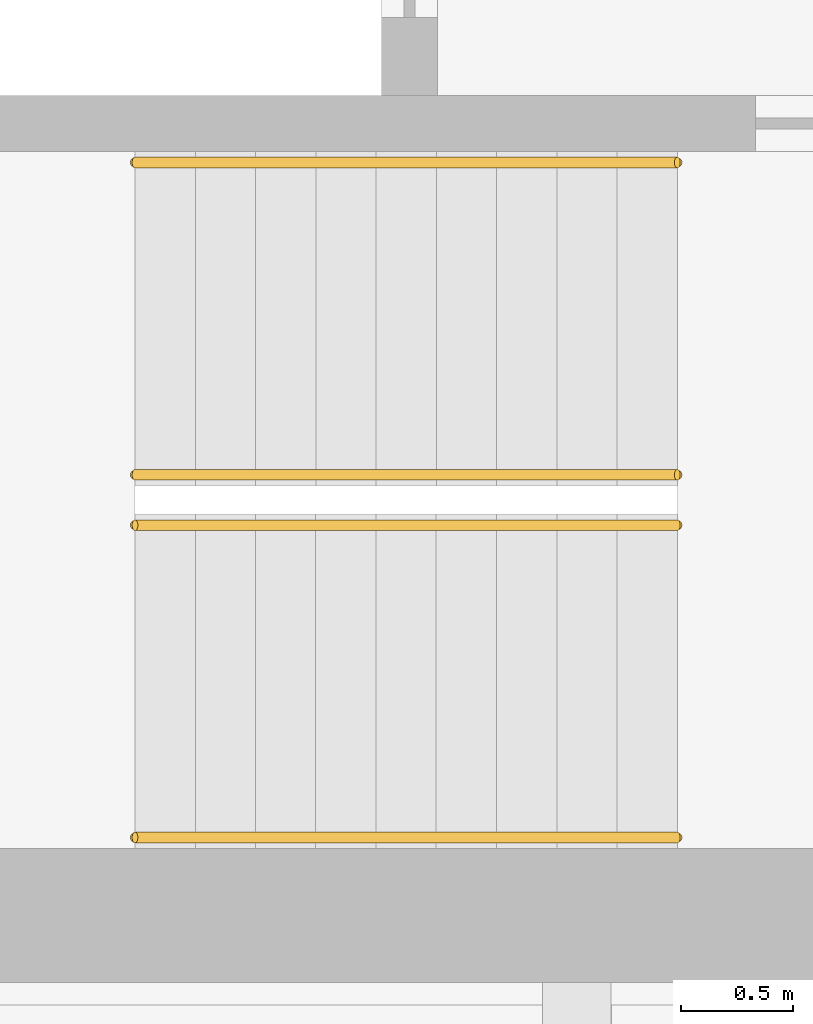
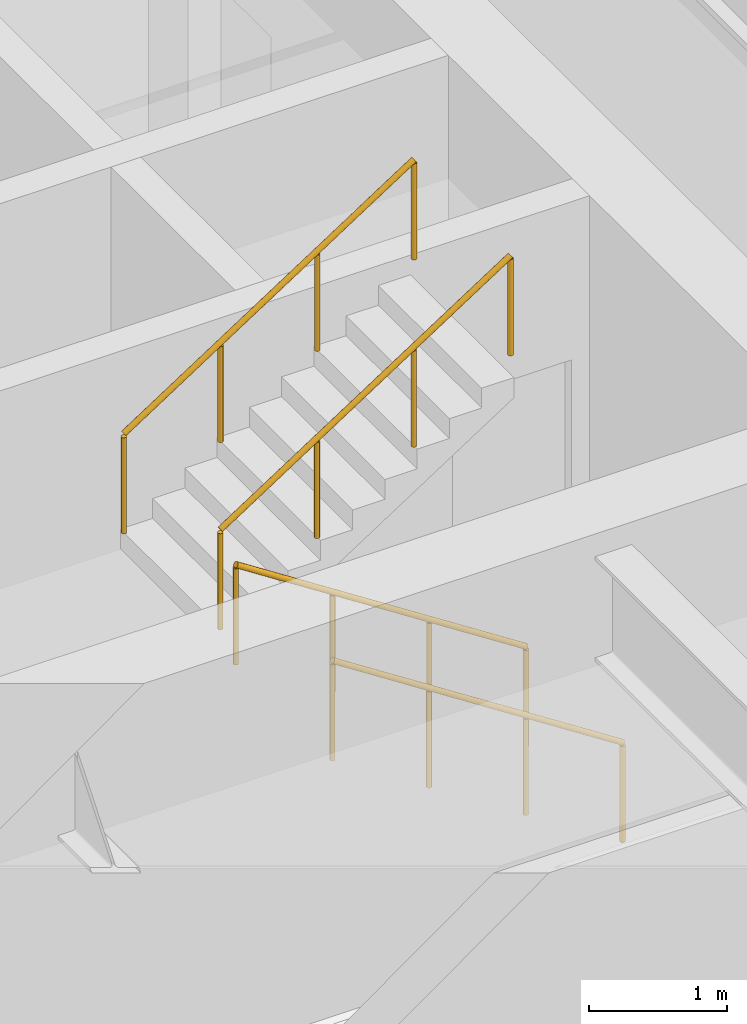
# One storey, part 17 of 21: 4 railings.
"""IFC4 building model written with IfcOpenShell, lengths in metres."""

from ifc_helpers import new_model, si_unit, direction, frame, origin, origin_2d, place, context, subcontext, project, spatial, circle, extrude, material, type_object, element, save


model = new_model("IFC4")

# Units and contexts
model_context = context("Model", 3, precision=1e-05, world=origin(), true_north=direction((0.0, 1.0)))
body_context = subcontext(model_context, "Body", "Model", "MODEL_VIEW")
ifc_project = project(units=[si_unit("LENGTHUNIT", "METRE"), si_unit("AREAUNIT", "SQUARE_METRE"), si_unit("VOLUMEUNIT", "CUBIC_METRE"), si_unit("PLANEANGLEUNIT", "RADIAN"), si_unit("MASSUNIT", "GRAM", prefix="KILO")], contexts=[model_context])

# Site, building, storey
site_placement = place(None, origin())
site = spatial("IfcSite", under=ifc_project, at=site_placement, CompositionType="ELEMENT")
building_placement = place(site_placement, origin())
building = spatial("IfcBuilding", under=site, at=building_placement, Name="Msasa Ring Tower", CompositionType="ELEMENT")
storey_placement = place(building_placement, frame((0.0, 0.0, 40.5)))
storey = spatial("IfcBuildingStorey", under=building, at=storey_placement, Name="L09", CompositionType="ELEMENT", Elevation=40.5)

# Railings
ifc_material = material(Name="Stainless steel", Category="steel")
railing_type = type_object("IfcRailingType", Name="HR1 HANDRAIL 900", PredefinedType="HANDRAIL", material=ifc_material)
for number, where, name in (
    (1, (-10.800048828125, -6.39990234375, 0.175048828125), "Handrail stair SWA L09 1"),
    (2, (-10.800048828125, -5.0, 0.175048828125), "Handrail stair SWA L09 2"),
):
    element("IfcRailing", number, at=place(storey_placement, frame(where)), inside=storey, type_object=railing_type, Name=name, PredefinedType="HANDRAIL", context=body_context, shape_type="SweptSolid", body=[
        extrude(circle(Radius=0.02392578125, at=origin_2d()), frame((0.0, 0.0, 0.8759765625), z_axis=(-0.839153699163, 0.0, 0.543894354798), x_axis=(0.0, -1.0, 0.0)), (0.0, 0.0, 1.0), 2.895751953125),
        extrude(circle(Radius=0.02099609375, at=origin_2d()), origin(), (0.0, 0.0, 1.0), 0.851806640625),
        extrude(circle(Radius=0.02099609375, at=origin_2d()), frame((-0.81005859375, 0.0, 0.52490234375)), (0.0, 0.0, 1.0), 0.851806640625),
        extrude(circle(Radius=0.02099609375, at=origin_2d()), frame((-1.619873046875, 0.0, 1.050048828125)), (0.0, 0.0, 1.0), 0.851806640625),
        extrude(circle(Radius=0.02099609375, at=origin_2d()), frame((-2.429931640625, 0.0, 1.574951171875)), (0.0, 0.0, 1.0), 0.851806640625),
    ])
for number, where, name in (
    (3, (-13.22998046875, -4.77490234375, 1.925048828125), "Handrail stair SWA L09 3"),
    (4, (-13.22998046875, -3.375, 1.925048828125), "Handrail stair SWA L09 4"),
):
    element("IfcRailing", number, at=place(storey_placement, frame(where)), inside=storey, type_object=railing_type, Name=name, PredefinedType="HANDRAIL", context=body_context, shape_type="SweptSolid", body=[
        extrude(circle(Radius=0.02392578125, at=origin_2d()), frame((0.0, 0.0, 0.8759765625), z_axis=(0.839153699163, 0.0, 0.543894354798), x_axis=(0.0, 1.0, 0.0)), (0.0, 0.0, 1.0), 2.895751953125),
        extrude(circle(Radius=0.02099609375, at=origin_2d()), origin(), (0.0, 0.0, 1.0), 0.851806640625),
        extrude(circle(Radius=0.02099609375, at=origin_2d()), frame((0.81005859375, 0.0, 0.52490234375)), (0.0, 0.0, 1.0), 0.851806640625),
        extrude(circle(Radius=0.02099609375, at=origin_2d()), frame((1.619873046875, 0.0, 1.050048828125)), (0.0, 0.0, 1.0), 0.851806640625),
        extrude(circle(Radius=0.02099609375, at=origin_2d()), frame((2.429931640625, 0.0, 1.574951171875)), (0.0, 0.0, 1.0), 0.851806640625),
    ])

save(model, "model.ifc")
